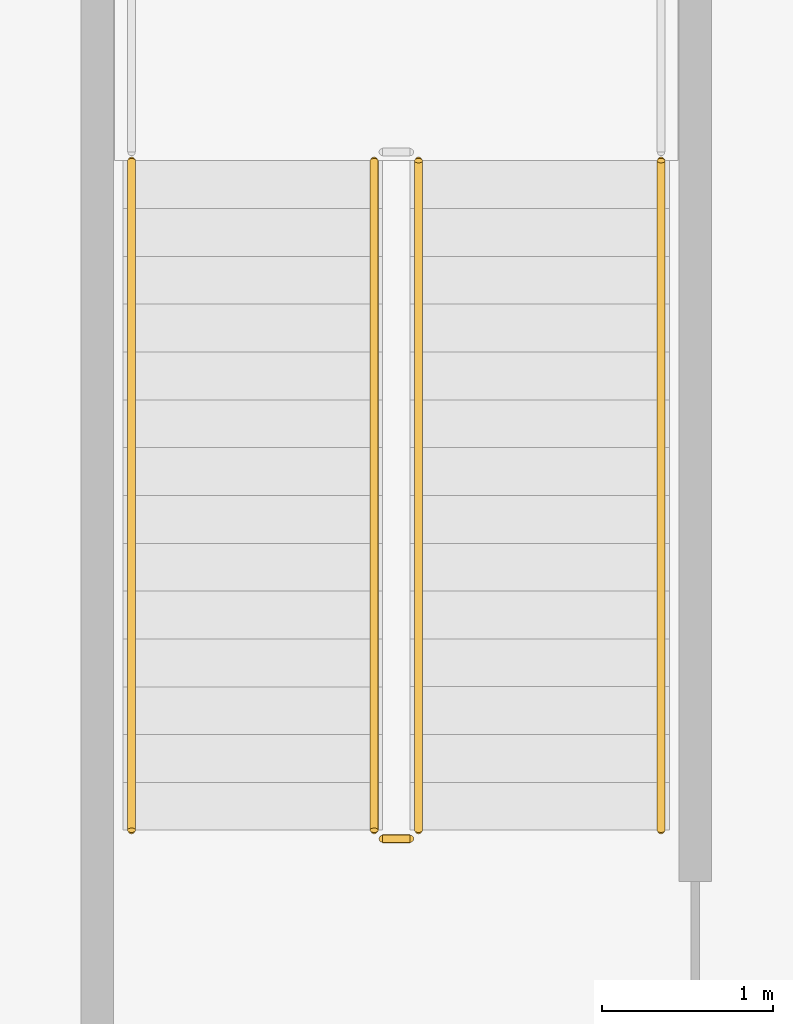
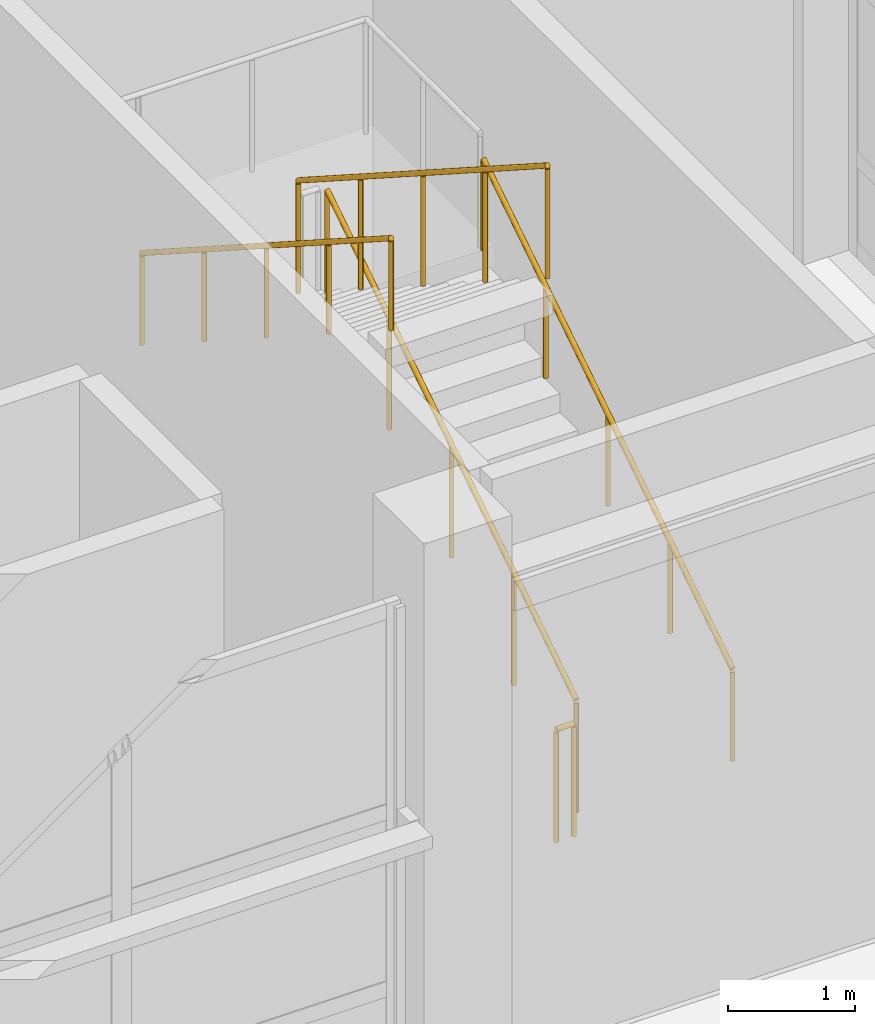
# One storey, part 127 of 140: 5 railings.
"""IFC4 building model written with IfcOpenShell, lengths in metres."""

from ifc_helpers import new_model, si_unit, direction, frame, origin, origin_2d, place, context, subcontext, project, spatial, circle, extrude, material, type_object, element, save


model = new_model("IFC4")

# Units and contexts
model_context = context("Model", 3, precision=1e-05, world=origin(), true_north=direction((0.0, 1.0)))
body_context = subcontext(model_context, "Body", "Model", "MODEL_VIEW")
ifc_project = project(units=[si_unit("LENGTHUNIT", "METRE"), si_unit("AREAUNIT", "SQUARE_METRE"), si_unit("VOLUMEUNIT", "CUBIC_METRE"), si_unit("PLANEANGLEUNIT", "RADIAN"), si_unit("MASSUNIT", "GRAM", prefix="KILO")], contexts=[model_context])

# Site, building, storey
site_placement = place(None, origin())
site = spatial("IfcSite", under=ifc_project, at=site_placement, CompositionType="ELEMENT")
building_placement = place(site_placement, origin())
building = spatial("IfcBuilding", under=site, at=building_placement, Name="Telukmera Botanical Conservatory", CompositionType="ELEMENT")
storey_placement = place(building_placement, origin())
storey = spatial("IfcBuildingStorey", under=building, at=storey_placement, Name="L00", CompositionType="ELEMENT", Elevation=0.0)

# Railings
ifc_material_1 = material(Name="Steel S355", Category="steel")
railing_type_1 = type_object("IfcRailingType", Name="RL-GUARD-1100", PredefinedType="GUARDRAIL", material=ifc_material_1)
railing_1_placement = place(storey_placement, frame((36.1298828125, 85.47998046875, 0.179931640625)))
element("IfcRailing", 1, at=railing_1_placement, inside=storey, type_object=railing_type_1, Name="L00 ST6 stair guard 1", PredefinedType="GUARDRAIL", context=body_context, shape_type="SweptSolid", body=[
    extrude(circle(Radius=0.02392578125, at=origin_2d()), frame((0.0, 0.0, 1.076171875), z_axis=(0.0, 0.841171666519, 0.540768182723), x_axis=(-1.0, 0.0, 0.0)), (0.0, 0.0, 1.0), 4.66015625),
    extrude(circle(Radius=0.02099609375, at=origin_2d()), origin(), (0.0, 0.0, 1.0), 1.052001953125),
    extrude(circle(Radius=0.02099609375, at=origin_2d()), frame((0.0, 0.97998046875, 0.6298828125)), (0.0, 0.0, 1.0), 1.052001953125),
    extrude(circle(Radius=0.02099609375, at=origin_2d()), frame((0.0, 1.9599609375, 1.260009765625)), (0.0, 0.0, 1.0), 1.052001953125),
    extrude(circle(Radius=0.02099609375, at=origin_2d()), frame((0.0, 2.93994140625, 1.89013671875)), (0.0, 0.0, 1.0), 1.052001953125),
    extrude(circle(Radius=0.02099609375, at=origin_2d()), frame((0.0, 3.919921875, 2.52001953125)), (0.0, 0.0, 1.0), 1.052001953125),
])
railing_2_placement = place(storey_placement, frame((35.8701171875, 89.39990234375, 2.8798828125)))
element("IfcRailing", 2, at=railing_2_placement, inside=storey, type_object=railing_type_1, Name="L00 ST6 stair guard 3", PredefinedType="GUARDRAIL", context=body_context, shape_type="SweptSolid", body=[
    extrude(circle(Radius=0.02392578125, at=origin_2d()), frame((0.0, 0.0, 1.076171875), z_axis=(0.0, -0.841171666519, 0.540768182723), x_axis=(1.0, 0.0, 0.0)), (0.0, 0.0, 1.0), 4.66015625),
    extrude(circle(Radius=0.02099609375, at=origin_2d()), origin(), (0.0, 0.0, 1.0), 1.052001953125),
    extrude(circle(Radius=0.02099609375, at=origin_2d()), frame((0.0, -0.97998046875, 0.6298828125)), (0.0, 0.0, 1.0), 1.052001953125),
    extrude(circle(Radius=0.02099609375, at=origin_2d()), frame((0.0, -1.9599609375, 1.260009765625)), (0.0, 0.0, 1.0), 1.052001953125),
    extrude(circle(Radius=0.02099609375, at=origin_2d()), frame((0.0, -2.93994140625, 1.89013671875)), (0.0, 0.0, 1.0), 1.052001953125),
    extrude(circle(Radius=0.02099609375, at=origin_2d()), frame((0.0, -3.919921875, 2.52001953125)), (0.0, 0.0, 1.0), 1.052001953125),
])
railing_3_placement = place(storey_placement, frame((36.080078125, 85.429931640625, 0.0)))
element("IfcRailing", 3, at=railing_3_placement, inside=storey, type_object=railing_type_1, Name="L00 ST6 stair guard 4", PredefinedType="GUARDRAIL", context=body_context, shape_type="SweptSolid", body=[
    extrude(circle(Radius=0.02392578125, at=origin_2d()), frame((0.0, 0.0, 1.076171875), z_axis=(-1.0, 0.0, 0.0), x_axis=(0.0, -1.0, 0.0)), (0.0, 0.0, 1.0), 0.16015625),
    extrude(circle(Radius=0.02099609375, at=origin_2d()), origin(), (0.0, 0.0, 1.0), 1.052001953125),
    extrude(circle(Radius=0.02099609375, at=origin_2d()), frame((-0.16015625, 0.0, 0.0)), (0.0, 0.0, 1.0), 1.052001953125),
])
ifc_material_2 = material(Name="Stainless steel 316", Category="steel")
railing_type_2 = type_object("IfcRailingType", Name="RL-HAND-900", PredefinedType="HANDRAIL", material=ifc_material_2)
railing_4_placement = place(storey_placement, frame((37.550048828125, 85.47998046875, 0.179931640625)))
element("IfcRailing", 4, at=railing_4_placement, inside=storey, type_object=railing_type_2, Name="L00 ST6 stair handrail 1", PredefinedType="HANDRAIL", context=body_context, shape_type="SweptSolid", body=[
    extrude(circle(Radius=0.02392578125, at=origin_2d()), frame((0.0, 0.0, 0.8759765625), z_axis=(0.0, 0.841171666519, 0.540768182723), x_axis=(-1.0, 0.0, 0.0)), (0.0, 0.0, 1.0), 4.66015625),
    extrude(circle(Radius=0.02099609375, at=origin_2d()), origin(), (0.0, 0.0, 1.0), 0.851806640625),
    extrude(circle(Radius=0.02099609375, at=origin_2d()), frame((0.0, 0.97998046875, 0.6298828125)), (0.0, 0.0, 1.0), 0.851806640625),
    extrude(circle(Radius=0.02099609375, at=origin_2d()), frame((0.0, 1.9599609375, 1.260009765625)), (0.0, 0.0, 1.0), 0.851806640625),
    extrude(circle(Radius=0.02099609375, at=origin_2d()), frame((0.0, 2.93994140625, 1.89013671875)), (0.0, 0.0, 1.0), 0.851806640625),
    extrude(circle(Radius=0.02099609375, at=origin_2d()), frame((0.0, 3.919921875, 2.52001953125)), (0.0, 0.0, 1.0), 0.851806640625),
])
railing_5_placement = place(storey_placement, frame((34.449951171875, 89.39990234375, 2.8798828125)))
element("IfcRailing", 5, at=railing_5_placement, inside=storey, type_object=railing_type_2, Name="L00 ST6 stair handrail 2", PredefinedType="HANDRAIL", context=body_context, shape_type="SweptSolid", body=[
    extrude(circle(Radius=0.02392578125, at=origin_2d()), frame((0.0, 0.0, 0.8759765625), z_axis=(0.0, -0.841171666519, 0.540768182723), x_axis=(1.0, 0.0, 0.0)), (0.0, 0.0, 1.0), 4.66015625),
    extrude(circle(Radius=0.02099609375, at=origin_2d()), origin(), (0.0, 0.0, 1.0), 0.851806640625),
    extrude(circle(Radius=0.02099609375, at=origin_2d()), frame((0.0, -0.97998046875, 0.6298828125)), (0.0, 0.0, 1.0), 0.851806640625),
    extrude(circle(Radius=0.02099609375, at=origin_2d()), frame((0.0, -1.9599609375, 1.260009765625)), (0.0, 0.0, 1.0), 0.851806640625),
    extrude(circle(Radius=0.02099609375, at=origin_2d()), frame((0.0, -2.93994140625, 1.89013671875)), (0.0, 0.0, 1.0), 0.851806640625),
    extrude(circle(Radius=0.02099609375, at=origin_2d()), frame((0.0, -3.919921875, 2.52001953125)), (0.0, 0.0, 1.0), 0.851806640625),
])

save(model, "model.ifc")
